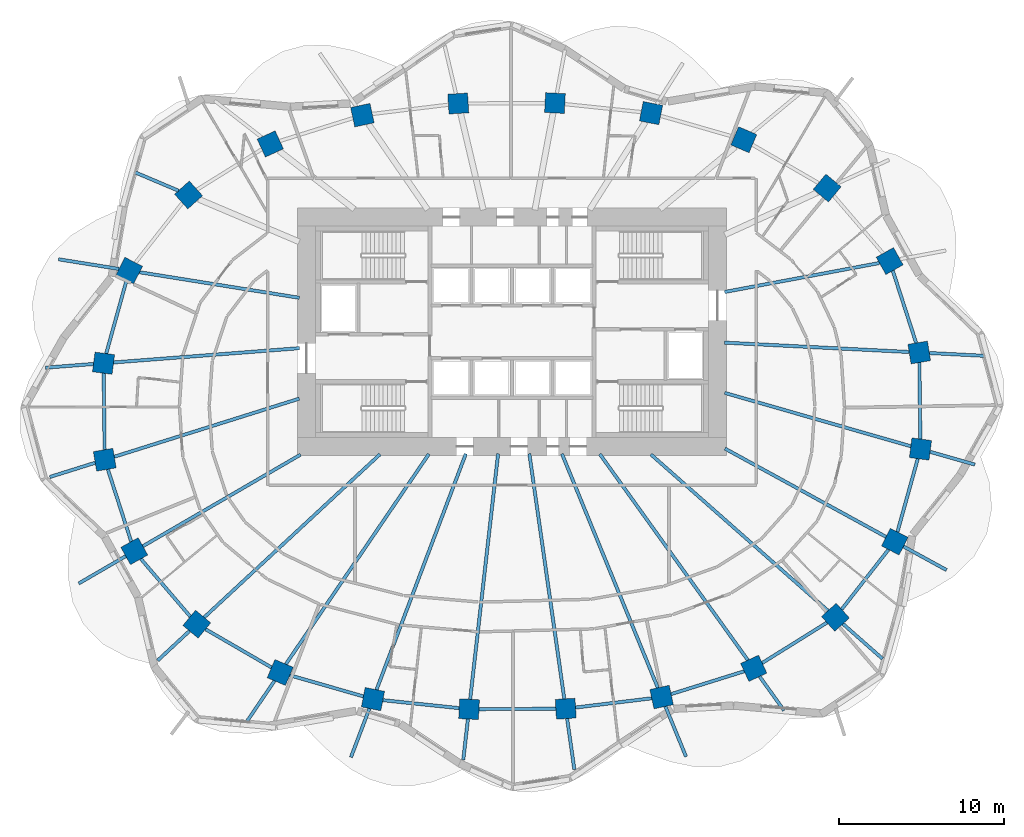
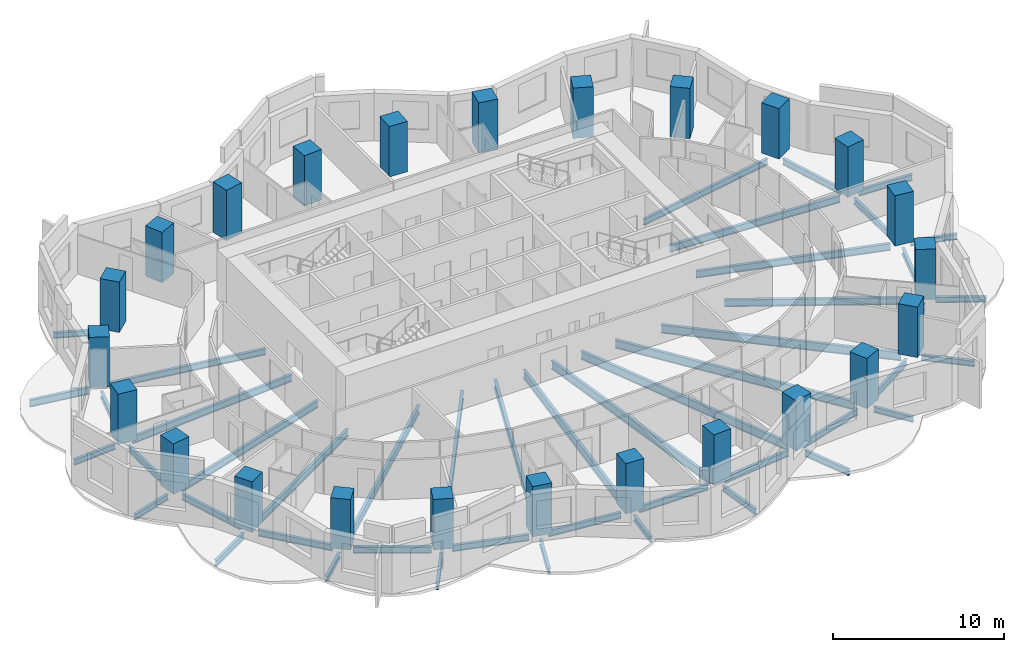
# One storey, part 1 of 11: 47 beams, 24 columns.
"""IFC4 building model written with IfcOpenShell, lengths in metres."""

from ifc_helpers import new_model, si_unit, direction, frame, origin, origin_2d, place, context, subcontext, project, spatial, rectangle, i_section, extrude, material, material_profile, profile_set, type_object, element, save


model = new_model("IFC4")

# Units and contexts
model_context = context("Model", 3, precision=1e-05, world=origin(), true_north=direction((0.0, 1.0)))
body_context = subcontext(model_context, "Body", "Model", "MODEL_VIEW")
ifc_project = project(units=[si_unit("LENGTHUNIT", "METRE"), si_unit("AREAUNIT", "SQUARE_METRE"), si_unit("VOLUMEUNIT", "CUBIC_METRE"), si_unit("PLANEANGLEUNIT", "RADIAN"), si_unit("MASSUNIT", "GRAM", prefix="KILO")], contexts=[model_context])

# Site, building, storey
site_placement = place(None, origin())
site = spatial("IfcSite", under=ifc_project, at=site_placement, CompositionType="ELEMENT")
building_placement = place(site_placement, origin())
building = spatial("IfcBuilding", under=site, at=building_placement, Name="Rubra Terraces Tower", CompositionType="ELEMENT")
storey_placement = place(building_placement, frame((0.0, 0.0, 99.60009765625)))
storey = spatial("IfcBuildingStorey", under=building, at=storey_placement, Name="L23", CompositionType="ELEMENT", Elevation=99.60009765625)

# Columns
ifc_material_1 = material(Name="Concrete C60", Category="concrete")
ifc_material_profile_1 = material_profile(ifc_material_1, rectangle(XDim=1.199951171875, YDim=1.199951171875, at=origin_2d()), Name="RC 1200x1200")
ifc_profile_set_1 = profile_set([ifc_material_profile_1], Name="Concrete C60")
column_type = type_object("IfcColumnType", Name="RING COLUMN RC 1200x1200 C60", PredefinedType="COLUMN", material=ifc_profile_set_1)
for number, where, z_axis, x_axis, name in (
    (1, (24.6689453125, 3.248046875, 0.0), (0.0, 0.0, 1.0), (-0.161559167715, 0.986863027642, 0.0), "column-L23-ring-01"),
    (2, (22.87890625, 8.787109375, 0.0), (0.0, 0.0, 1.0), (-0.48852601316, 0.872549330678, 0.0), "column-L23-ring-02"),
    (3, (19.092041015625, 13.208984375, 0.0), (0.0, 0.0, 1.0), (-0.76886986222, 0.63940529789, 0.0), "column-L23-ring-03"),
    (4, (14.0419921875, 16.135986328125, 0.0), (0.0, 0.0, 1.0), (-0.920167856842, 0.391524092789, 0.0), "column-L23-ring-04"),
    (5, (8.422119140625, 17.7490234375, 0.0), (0.0, 0.0, 1.0), (-0.981654668733, 0.19066754143, 0.0), "column-L23-ring-05"),
    (6, (2.60205078125, 18.35791015625, 0.0), (0.0, 0.0, 1.0), (-0.998764256028, 0.049698700995, 0.0), "column-L23-ring-06"),
    (7, (-3.25390625, 18.330078125, 0.0), (0.0, 0.0, 1.0), (-0.998031548759, -0.062713855578, 0.0), "column-L23-ring-07"),
    (8, (-9.06298828125, 17.625, 0.0), (0.0, 0.0, 1.0), (-0.977652674797, -0.210226657352, 0.0), "column-L23-ring-08"),
    (9, (-14.64306640625, 15.881103515625, 0.0), (0.0, 0.0, 1.0), (-0.908778580451, -0.417278673927, 0.0), "column-L23-ring-09"),
    (10, (-19.593017578125, 12.7900390625, 0.0), (0.0, 0.0, 1.0), (-0.744021317198, -0.668155879683, 0.0), "column-L23-ring-10"),
    (11, (-23.18505859375, 8.2099609375, 0.0), (0.0, 0.0, 1.0), (-0.451027931402, -0.892509834733, 0.0), "column-L23-ring-11"),
    (12, (-24.742919921875, 2.59912109375, 0.0), (0.0, 0.0, 1.0), (-0.128443684554, -0.991716804283, 0.0), "column-L23-ring-12"),
    (13, (-24.6689453125, -3.248046875, 0.0), (0.0, 0.0, 1.0), (0.161559167715, -0.986863027642, 0.0), "column-L23-ring-13"),
    (14, (-22.87890625, -8.787109375, 0.0), (0.0, 0.0, 1.0), (0.48852601316, -0.872549330678, 0.0), "column-L23-ring-14"),
    (15, (-19.092041015625, -13.208984375, 0.0), (0.0, 0.0, 1.0), (0.76886986222, -0.63940529789, 0.0), "column-L23-ring-15"),
    (16, (-14.0419921875, -16.135986328125, 0.0), (0.0, 0.0, 1.0), (0.920167856842, -0.391524092789, 0.0), "column-L23-ring-16"),
    (17, (-8.422119140625, -17.7490234375, 0.0), (0.0, 0.0, 1.0), (0.981654668733, -0.19066754143, 0.0), "column-L23-ring-17"),
    (18, (-2.60205078125, -18.35791015625, 0.0), (0.0, 0.0, 1.0), (0.998764256028, -0.049698700995, 0.0), "column-L23-ring-18"),
    (19, (3.25390625, -18.330078125, 0.0), (0.0, 0.0, 1.0), (0.998031548759, 0.062713855578, 0.0), "column-L23-ring-19"),
    (20, (9.06298828125, -17.625, 0.0), (0.0, 0.0, 1.0), (0.977652674797, 0.210226657352, 0.0), "column-L23-ring-20"),
    (21, (14.64306640625, -15.881103515625, 0.0), (0.0, 0.0, 1.0), (0.908778580451, 0.417278673927, 0.0), "column-L23-ring-21"),
    (22, (19.593017578125, -12.7900390625, 0.0), (0.0, 0.0, 1.0), (0.744021317198, 0.668155879683, 0.0), "column-L23-ring-22"),
    (23, (23.18505859375, -8.2099609375, 0.0), (0.0, 0.0, 1.0), (0.451027931402, 0.892509834733, 0.0), "column-L23-ring-23"),
    (24, (24.742919921875, -2.59912109375, 0.0), (0.0, 0.0, 1.0), (0.128443684554, 0.991716804283, 0.0), "column-L23-ring-24"),
):
    element("IfcColumn", number, at=place(storey_placement, frame(where, z_axis=z_axis, x_axis=x_axis)), inside=storey, type_object=column_type, Name=name, PredefinedType="COLUMN", context=body_context, shape_type="SweptSolid", body=[
        extrude(rectangle(XDim=1.199951171875, YDim=1.199951171875, at=origin_2d()), origin(), (0.0, 0.0, 1.0), 3.599853515625),
    ])

# Beams
ifc_material_2 = material(Name="Steel Q355B", Category="steel")
ifc_material_profile_2 = material_profile(ifc_material_2, i_section(OverallWidth=0.199951171875, OverallDepth=0.39990234375, WebThickness=0.008056640625, FlangeThickness=0.012939453125, at=origin_2d()), Name="HN 400x200x8x13")
ifc_profile_set_2 = profile_set([ifc_material_profile_2], Name="Steel Q355B")
beam_type_1 = type_object("IfcBeamType", Name="CANTILEVER BEAM HN 400x200x8x13", PredefinedType="BEAM", material=ifc_profile_set_2)
beam_1_placement = place(storey_placement, frame((-20.202880859375, 13.048095703125, -0.400146484375), z_axis=(-0.920934147462, 0.389718226465, 0.0), x_axis=(-0.389718226465, -0.920934147462, 0.0)))
element("IfcBeam", 25, at=beam_1_placement, inside=storey, type_object=beam_type_1, Name="beam-L23-cant-10", PredefinedType="BEAM", context=body_context, shape_type="SweptSolid", body=[
    extrude(i_section(OverallWidth=0.199951171875, OverallDepth=0.39990234375, WebThickness=0.008056640625, FlangeThickness=0.012939453125, at=origin_2d()), origin(), (0.0, 0.0, 1.0), 2.850341796875),
])
beam_2_placement = place(storey_placement, frame((-25.35400390625, 2.552001953125, -0.400146484375), z_axis=(-0.997078655681, -0.076381636441, 0.0), x_axis=(0.076381636441, -0.997078655681, 0.0)))
element("IfcBeam", 26, at=beam_2_placement, inside=storey, type_object=beam_type_1, Name="beam-L23-cant-12", PredefinedType="BEAM", context=body_context, shape_type="SweptSolid", body=[
    extrude(i_section(OverallWidth=0.199951171875, OverallDepth=0.39990234375, WebThickness=0.008056640625, FlangeThickness=0.012939453125, at=origin_2d()), origin(), (0.0, 0.0, 1.0), 2.905517578125),
])
beam_3_placement = place(storey_placement, frame((-25.2470703125, -3.429931640625, -0.400146484375), z_axis=(-0.954045543107, -0.299661645322, 0.0), x_axis=(0.299661645322, -0.954045543107, 0.0)))
element("IfcBeam", 27, at=beam_3_placement, inside=storey, type_object=beam_type_1, Name="beam-L23-cant-13", PredefinedType="BEAM", context=body_context, shape_type="SweptSolid", body=[
    extrude(i_section(OverallWidth=0.199951171875, OverallDepth=0.39990234375, WebThickness=0.008056640625, FlangeThickness=0.012939453125, at=origin_2d()), origin(), (0.0, 0.0, 1.0), 2.886474609375),
])
beam_4_placement = place(storey_placement, frame((-19.535888671875, -13.6201171875, -0.400146484375), z_axis=(-0.73298930128, -0.680240166566, 0.0), x_axis=(0.680240166566, -0.73298930128, 0.0)))
element("IfcBeam", 28, at=beam_4_placement, inside=storey, type_object=beam_type_1, Name="beam-L23-cant-15", PredefinedType="BEAM", context=body_context, shape_type="SweptSolid", body=[
    extrude(i_section(OverallWidth=0.199951171875, OverallDepth=0.39990234375, WebThickness=0.008056640625, FlangeThickness=0.012939453125, at=origin_2d()), origin(), (0.0, 0.0, 1.0), 2.61962890625),
])
beam_5_placement = place(storey_placement, frame((-8.637939453125, -18.318115234375, -0.400146484375), z_axis=(-0.353924982786, -0.935273813682, 0.0), x_axis=(0.935273813682, -0.353924982786, 0.0)))
element("IfcBeam", 29, at=beam_5_placement, inside=storey, type_object=beam_type_1, Name="beam-L23-cant-17", PredefinedType="BEAM", context=body_context, shape_type="SweptSolid", body=[
    extrude(i_section(OverallWidth=0.199951171875, OverallDepth=0.39990234375, WebThickness=0.008056640625, FlangeThickness=0.012939453125, at=origin_2d()), origin(), (0.0, 0.0, 1.0), 3.159423828125),
])
beam_6_placement = place(storey_placement, frame((-2.669921875, -18.955078125, -0.400146484375), z_axis=(-0.113083837878, -0.993585449577, 0.0), x_axis=(0.993585449577, -0.113083837878, 0.0)))
element("IfcBeam", 30, at=beam_6_placement, inside=storey, type_object=beam_type_1, Name="beam-L23-cant-18", PredefinedType="BEAM", context=body_context, shape_type="SweptSolid", body=[
    extrude(i_section(OverallWidth=0.199951171875, OverallDepth=0.39990234375, WebThickness=0.008056640625, FlangeThickness=0.012939453125, at=origin_2d()), origin(), (0.0, 0.0, 1.0), 2.48486328125),
])
beam_7_placement = place(storey_placement, frame((3.339111328125, -18.926025390625, -0.400146484375), z_axis=(0.141004134559, -0.990009007049, 0.0), x_axis=(0.990009007049, 0.141004134559, 0.0)))
element("IfcBeam", 31, at=beam_7_placement, inside=storey, type_object=beam_type_1, Name="beam-L23-cant-19", PredefinedType="BEAM", context=body_context, shape_type="SweptSolid", body=[
    extrude(i_section(OverallWidth=0.199951171875, OverallDepth=0.39990234375, WebThickness=0.008056640625, FlangeThickness=0.012939453125, at=origin_2d()), origin(), (0.0, 0.0, 1.0), 3.113037109375),
])
beam_8_placement = place(storey_placement, frame((15.0, -16.376953125, -0.400146484375), z_axis=(0.583203525361, -0.812326072465, 0.0), x_axis=(0.812326072465, 0.583203525361, 0.0)))
element("IfcBeam", 32, at=beam_8_placement, inside=storey, type_object=beam_type_1, Name="beam-L23-cant-21", PredefinedType="BEAM", context=body_context, shape_type="SweptSolid", body=[
    extrude(i_section(OverallWidth=0.199951171875, OverallDepth=0.39990234375, WebThickness=0.008056640625, FlangeThickness=0.012939453125, at=origin_2d()), origin(), (0.0, 0.0, 1.0), 2.535888671875),
])
beam_9_placement = place(storey_placement, frame((20.0458984375, -13.18994140625, -0.400146484375), z_axis=(0.749889181916, -0.661563462447, 0.0), x_axis=(0.661563462447, 0.749889181916, 0.0)))
element("IfcBeam", 33, at=beam_9_placement, inside=storey, type_object=beam_type_1, Name="beam-L23-cant-22", PredefinedType="BEAM", context=body_context, shape_type="SweptSolid", body=[
    extrude(i_section(OverallWidth=0.199951171875, OverallDepth=0.39990234375, WebThickness=0.008056640625, FlangeThickness=0.012939453125, at=origin_2d()), origin(), (0.0, 0.0, 1.0), 3.192626953125),
])
beam_10_placement = place(storey_placement, frame((23.7109375, -8.4990234375, -0.400146484375), z_axis=(0.876950651009, -0.480580436238, 0.0), x_axis=(0.480580436238, 0.876950651009, 0.0)))
element("IfcBeam", 34, at=beam_10_placement, inside=storey, type_object=beam_type_1, Name="beam-L23-cant-23", PredefinedType="BEAM", context=body_context, shape_type="SweptSolid", body=[
    extrude(i_section(OverallWidth=0.199951171875, OverallDepth=0.39990234375, WebThickness=0.008056640625, FlangeThickness=0.012939453125, at=origin_2d()), origin(), (0.0, 0.0, 1.0), 2.9775390625),
])
beam_11_placement = place(storey_placement, frame((25.325927734375, -2.76611328125, -0.400146484375), z_axis=(0.96123639557, -0.275725573408, 0.0), x_axis=(0.275725573408, 0.96123639557, 0.0)))
element("IfcBeam", 35, at=beam_11_placement, inside=storey, type_object=beam_type_1, Name="beam-L23-cant-24", PredefinedType="BEAM", context=body_context, shape_type="SweptSolid", body=[
    extrude(i_section(OverallWidth=0.199951171875, OverallDepth=0.39990234375, WebThickness=0.008056640625, FlangeThickness=0.012939453125, at=origin_2d()), origin(), (0.0, 0.0, 1.0), 2.824462890625),
])
ifc_material_profile_3 = material_profile(ifc_material_2, i_section(OverallWidth=0.198974609375, OverallDepth=0.446044921875, WebThickness=0.008056640625, FlangeThickness=0.011962890625, at=origin_2d()), Name="HN 446x199x8x12")
ifc_profile_set_3 = profile_set([ifc_material_profile_3], Name="Steel Q355B")
beam_type_2 = type_object("IfcBeamType", Name="CANTILEVER BEAM HN 446x199x8x12", PredefinedType="BEAM", material=ifc_profile_set_3)
beam_12_placement = place(storey_placement, frame((25.281982421875, 3.217041015625, -0.423095703125), z_axis=(0.998709471557, -0.050787709356, 0.0), x_axis=(0.050787709356, 0.998709471557, 0.0)))
element("IfcBeam", 36, at=beam_12_placement, inside=storey, type_object=beam_type_2, Name="beam-L23-cant-01", PredefinedType="BEAM", context=body_context, shape_type="SweptSolid", body=[
    extrude(i_section(OverallWidth=0.198974609375, OverallDepth=0.446044921875, WebThickness=0.008056640625, FlangeThickness=0.011962890625, at=origin_2d()), origin(), (0.0, 0.0, 1.0), 3.523681640625),
])
beam_13_placement = place(storey_placement, frame((-23.39794921875, -9.087890625, -0.423095703125), z_axis=(-0.86464262301, -0.50238743463, 0.0), x_axis=(0.50238743463, -0.86464262301, 0.0)))
element("IfcBeam", 37, at=beam_13_placement, inside=storey, type_object=beam_type_2, Name="beam-L23-cant-14", PredefinedType="BEAM", context=body_context, shape_type="SweptSolid", body=[
    extrude(i_section(OverallWidth=0.198974609375, OverallDepth=0.446044921875, WebThickness=0.008056640625, FlangeThickness=0.011962890625, at=origin_2d()), origin(), (0.0, 0.0, 1.0), 3.29638671875),
])
beam_14_placement = place(storey_placement, frame((-14.385986328125, -16.64208984375, -0.423095703125), z_axis=(-0.562581591021, -0.826741769505, 0.0), x_axis=(0.826741769505, -0.562581591021, 0.0)))
element("IfcBeam", 38, at=beam_14_placement, inside=storey, type_object=beam_type_2, Name="beam-L23-cant-16", PredefinedType="BEAM", context=body_context, shape_type="SweptSolid", body=[
    extrude(i_section(OverallWidth=0.198974609375, OverallDepth=0.446044921875, WebThickness=0.008056640625, FlangeThickness=0.011962890625, at=origin_2d()), origin(), (0.0, 0.0, 1.0), 3.220947265625),
])
beam_15_placement = place(storey_placement, frame((9.2939453125, -18.18896484375, -0.423095703125), z_axis=(0.379126606242, -0.925344809484, 0.0), x_axis=(0.925344809484, 0.379126606242, 0.0)))
element("IfcBeam", 39, at=beam_15_placement, inside=storey, type_object=beam_type_2, Name="beam-L23-cant-20", PredefinedType="BEAM", context=body_context, shape_type="SweptSolid", body=[
    extrude(i_section(OverallWidth=0.198974609375, OverallDepth=0.446044921875, WebThickness=0.008056640625, FlangeThickness=0.011962890625, at=origin_2d()), origin(), (0.0, 0.0, 1.0), 3.2919921875),
])
ifc_material_profile_4 = material_profile(ifc_material_2, i_section(OverallWidth=0.198974609375, OverallDepth=0.49609375, WebThickness=0.009033203125, FlangeThickness=0.013916015625, at=origin_2d()), Name="HN 496x199x9x14")
ifc_profile_set_4 = profile_set([ifc_material_profile_4], Name="Steel Q355B")
beam_type_3 = type_object("IfcBeamType", Name="CANTILEVER BEAM HN 496x199x9x14", PredefinedType="BEAM", material=ifc_profile_set_4)
beam_16_placement = place(storey_placement, frame((-23.806884765625, 8.31005859375, -0.447998046875), z_axis=(-0.987475125266, 0.157774766614, 0.0), x_axis=(-0.157774766614, -0.987475125266, 0.0)))
element("IfcBeam", 40, at=beam_16_placement, inside=storey, type_object=beam_type_3, Name="beam-L23-cant-11", PredefinedType="BEAM", context=body_context, shape_type="SweptSolid", body=[
    extrude(i_section(OverallWidth=0.198974609375, OverallDepth=0.49609375, WebThickness=0.009033203125, FlangeThickness=0.013916015625, at=origin_2d()), origin(), (0.0, 0.0, 1.0), 3.70751953125),
])
ifc_material_profile_5 = material_profile(ifc_material_2, i_section(OverallWidth=0.198974609375, OverallDepth=0.446044921875, WebThickness=0.008056640625, FlangeThickness=0.011962890625, at=origin_2d()), Name="HN 446x199x8x12")
ifc_profile_set_5 = profile_set([ifc_material_profile_5], Name="Steel Q355B")
beam_type_4 = type_object("IfcBeamType", Name="FLOOR BEAM HN 446x199x8x12", PredefinedType="BEAM", material=ifc_profile_set_5)
beam_17_placement = place(storey_placement, frame((22.257080078125, 8.669921875, -0.423095703125), z_axis=(-0.982909257943, -0.184090713102, 0.0), x_axis=(0.184090713102, -0.982909257943, 0.0)))
element("IfcBeam", 41, at=beam_17_placement, inside=storey, type_object=beam_type_4, Name="beam-L23-floor-02", PredefinedType="BEAM", context=body_context, shape_type="SweptSolid", body=[
    extrude(i_section(OverallWidth=0.198974609375, OverallDepth=0.446044921875, WebThickness=0.008056640625, FlangeThickness=0.011962890625, at=origin_2d()), origin(), (0.0, 0.0, 1.0), 9.5380859375),
])
beam_18_placement = place(storey_placement, frame((-22.56298828125, 8.110107421875, -0.423095703125), z_axis=(0.987438611706, -0.158003126908, 0.0), x_axis=(0.158003126908, 0.987438611706, 0.0)))
element("IfcBeam", 42, at=beam_18_placement, inside=storey, type_object=beam_type_4, Name="beam-L23-floor-11", PredefinedType="BEAM", context=body_context, shape_type="SweptSolid", body=[
    extrude(i_section(OverallWidth=0.198974609375, OverallDepth=0.446044921875, WebThickness=0.008056640625, FlangeThickness=0.011962890625, at=origin_2d()), origin(), (0.0, 0.0, 1.0), 9.803955078125),
])
ifc_material_profile_6 = material_profile(ifc_material_2, i_section(OverallWidth=0.198974609375, OverallDepth=0.49609375, WebThickness=0.009033203125, FlangeThickness=0.013916015625, at=origin_2d()), Name="HN 496x199x9x14")
ifc_profile_set_6 = profile_set([ifc_material_profile_6], Name="Steel Q355B")
beam_type_5 = type_object("IfcBeamType", Name="FLOOR BEAM HN 496x199x9x14", PredefinedType="BEAM", material=ifc_profile_set_6)
beam_19_placement = place(storey_placement, frame((24.055908203125, 3.279052734375, -0.447998046875), z_axis=(-0.998716006853, 0.050659033312, 0.0), x_axis=(-0.050659033312, -0.998716006853, 0.0)))
element("IfcBeam", 43, at=beam_19_placement, inside=storey, type_object=beam_type_5, Name="beam-L23-floor-01", PredefinedType="BEAM", context=body_context, shape_type="SweptSolid", body=[
    extrude(i_section(OverallWidth=0.198974609375, OverallDepth=0.49609375, WebThickness=0.009033203125, FlangeThickness=0.013916015625, at=origin_2d()), origin(), (0.0, 0.0, 1.0), 11.1904296875),
])
beam_20_placement = place(storey_placement, frame((-24.132080078125, 2.64599609375, -0.447998046875), z_axis=(0.99706491124, 0.076560843604, 0.0), x_axis=(-0.076560843604, 0.99706491124, 0.0)))
element("IfcBeam", 44, at=beam_20_placement, inside=storey, type_object=beam_type_5, Name="beam-L23-floor-12", PredefinedType="BEAM", context=body_context, shape_type="SweptSolid", body=[
    extrude(i_section(OverallWidth=0.198974609375, OverallDepth=0.49609375, WebThickness=0.009033203125, FlangeThickness=0.013916015625, at=origin_2d()), origin(), (0.0, 0.0, 1.0), 11.285400390625),
])
beam_21_placement = place(storey_placement, frame((-24.091064453125, -3.06591796875, -0.447998046875), z_axis=(0.954061815263, 0.299609834046, 0.0), x_axis=(-0.299609834046, 0.954061815263, 0.0)))
element("IfcBeam", 45, at=beam_21_placement, inside=storey, type_object=beam_type_5, Name="beam-L23-floor-13", PredefinedType="BEAM", context=body_context, shape_type="SweptSolid", body=[
    extrude(i_section(OverallWidth=0.198974609375, OverallDepth=0.49609375, WebThickness=0.009033203125, FlangeThickness=0.013916015625, at=origin_2d()), origin(), (0.0, 0.0, 1.0), 11.74462890625),
])
beam_22_placement = place(storey_placement, frame((-22.360107421875, -8.486083984375, -0.447998046875), z_axis=(0.864729170152, 0.502238451623, 0.0), x_axis=(-0.502238451623, 0.864729170152, 0.0)))
element("IfcBeam", 46, at=beam_22_placement, inside=storey, type_object=beam_type_5, Name="beam-L23-floor-14", PredefinedType="BEAM", context=body_context, shape_type="SweptSolid", body=[
    extrude(i_section(OverallWidth=0.198974609375, OverallDepth=0.49609375, WebThickness=0.009033203125, FlangeThickness=0.013916015625, at=origin_2d()), origin(), (0.0, 0.0, 1.0), 11.04296875),
])
beam_23_placement = place(storey_placement, frame((22.658935546875, -7.9208984375, -0.447998046875), z_axis=(-0.876910796921, 0.480653153785, 0.0), x_axis=(-0.480653153785, -0.876910796921, 0.0)))
element("IfcBeam", 47, at=beam_23_placement, inside=storey, type_object=beam_type_5, Name="beam-L23-floor-23", PredefinedType="BEAM", context=body_context, shape_type="SweptSolid", body=[
    extrude(i_section(OverallWidth=0.198974609375, OverallDepth=0.49609375, WebThickness=0.009033203125, FlangeThickness=0.013916015625, at=origin_2d()), origin(), (0.0, 0.0, 1.0), 11.134521484375),
])
beam_24_placement = place(storey_placement, frame((24.159912109375, -2.431884765625, -0.447998046875), z_axis=(-0.9612201884, 0.275782068691, 0.0), x_axis=(-0.275782068691, -0.9612201884, 0.0)))
element("IfcBeam", 48, at=beam_24_placement, inside=storey, type_object=beam_type_5, Name="beam-L23-floor-24", PredefinedType="BEAM", context=body_context, shape_type="SweptSolid", body=[
    extrude(i_section(OverallWidth=0.198974609375, OverallDepth=0.49609375, WebThickness=0.009033203125, FlangeThickness=0.013916015625, at=origin_2d()), origin(), (0.0, 0.0, 1.0), 11.729736328125),
])
ifc_material_profile_7 = material_profile(ifc_material_2, i_section(OverallWidth=0.198974609375, OverallDepth=0.595947265625, WebThickness=0.010009765625, FlangeThickness=0.014892578125, at=origin_2d()), Name="HN 596x199x10x15")
ifc_profile_set_7 = profile_set([ifc_material_profile_7], Name="Steel Q355B")
beam_type_6 = type_object("IfcBeamType", Name="FLOOR BEAM HN 596x199x10x15", PredefinedType="BEAM", material=ifc_profile_set_7)
beam_25_placement = place(storey_placement, frame((-18.64794921875, -12.798095703125, -0.498046875), z_axis=(0.733104668463, 0.680115832104, 0.0), x_axis=(-0.680115832104, 0.733104668463, 0.0)))
element("IfcBeam", 49, at=beam_25_placement, inside=storey, type_object=beam_type_6, Name="beam-L23-floor-15", PredefinedType="BEAM", context=body_context, shape_type="SweptSolid", body=[
    extrude(i_section(OverallWidth=0.198974609375, OverallDepth=0.595947265625, WebThickness=0.010009765625, FlangeThickness=0.014892578125, at=origin_2d()), origin(), (0.0, 0.0, 1.0), 14.527099609375),
])
beam_26_placement = place(storey_placement, frame((-13.697998046875, -15.6298828125, -0.498046875), z_axis=(0.562593638313, 0.82673357143, 0.0), x_axis=(-0.82673357143, 0.562593638313, 0.0)))
element("IfcBeam", 50, at=beam_26_placement, inside=storey, type_object=beam_type_6, Name="beam-L23-floor-16", PredefinedType="BEAM", context=body_context, shape_type="SweptSolid", body=[
    extrude(i_section(OverallWidth=0.198974609375, OverallDepth=0.595947265625, WebThickness=0.010009765625, FlangeThickness=0.014892578125, at=origin_2d()), origin(), (0.0, 0.0, 1.0), 15.396728515625),
])
beam_27_placement = place(storey_placement, frame((-8.2060546875, -17.179931640625, -0.498046875), z_axis=(0.35395819717, 0.935261244068, 0.0), x_axis=(-0.935261244068, 0.35395819717, 0.0)))
element("IfcBeam", 51, at=beam_27_placement, inside=storey, type_object=beam_type_6, Name="beam-L23-floor-17", PredefinedType="BEAM", context=body_context, shape_type="SweptSolid", body=[
    extrude(i_section(OverallWidth=0.198974609375, OverallDepth=0.595947265625, WebThickness=0.010009765625, FlangeThickness=0.014892578125, at=origin_2d()), origin(), (0.0, 0.0, 1.0), 15.28125),
])
beam_28_placement = place(storey_placement, frame((-2.533935546875, -17.760986328125, -0.498046875), z_axis=(0.113104280783, 0.993583122677, 0.0), x_axis=(-0.993583122677, 0.113104280783, 0.0)))
element("IfcBeam", 52, at=beam_28_placement, inside=storey, type_object=beam_type_6, Name="beam-L23-floor-18", PredefinedType="BEAM", context=body_context, shape_type="SweptSolid", body=[
    extrude(i_section(OverallWidth=0.198974609375, OverallDepth=0.595947265625, WebThickness=0.010009765625, FlangeThickness=0.014892578125, at=origin_2d()), origin(), (0.0, 0.0, 1.0), 14.97607421875),
])
beam_29_placement = place(storey_placement, frame((3.1689453125, -17.73388671875, -0.498046875), z_axis=(-0.141102399867, 0.989995006428, 0.0), x_axis=(-0.989995006428, -0.141102399867, 0.0)))
element("IfcBeam", 53, at=beam_29_placement, inside=storey, type_object=beam_type_6, Name="beam-L23-floor-19", PredefinedType="BEAM", context=body_context, shape_type="SweptSolid", body=[
    extrude(i_section(OverallWidth=0.198974609375, OverallDepth=0.595947265625, WebThickness=0.010009765625, FlangeThickness=0.014892578125, at=origin_2d()), origin(), (0.0, 0.0, 1.0), 15.0029296875),
])
beam_30_placement = place(storey_placement, frame((8.83203125, -17.06103515625, -0.498046875), z_axis=(-0.379038143634, 0.925381048904, 0.0), x_axis=(-0.925381048904, -0.379038143634, 0.0)))
element("IfcBeam", 54, at=beam_30_placement, inside=storey, type_object=beam_type_6, Name="beam-L23-floor-20", PredefinedType="BEAM", context=body_context, shape_type="SweptSolid", body=[
    extrude(i_section(OverallWidth=0.198974609375, OverallDepth=0.595947265625, WebThickness=0.010009765625, FlangeThickness=0.014892578125, at=origin_2d()), origin(), (0.0, 0.0, 1.0), 15.31494140625),
])
beam_31_placement = place(storey_placement, frame((14.285888671875, -15.385009765625, -0.498046875), z_axis=(-0.583480892091, 0.812126867284, 0.0), x_axis=(-0.812126867284, -0.583480892091, 0.0)))
element("IfcBeam", 55, at=beam_31_placement, inside=storey, type_object=beam_type_6, Name="beam-L23-floor-21", PredefinedType="BEAM", context=body_context, shape_type="SweptSolid", body=[
    extrude(i_section(OverallWidth=0.198974609375, OverallDepth=0.595947265625, WebThickness=0.010009765625, FlangeThickness=0.014892578125, at=origin_2d()), origin(), (0.0, 0.0, 1.0), 15.369384765625),
])
beam_32_placement = place(storey_placement, frame((19.139892578125, -12.389892578125, -0.498046875), z_axis=(-0.749820430817, 0.661641384384, 0.0), x_axis=(-0.661641384384, -0.749820430817, 0.0)))
element("IfcBeam", 56, at=beam_32_placement, inside=storey, type_object=beam_type_6, Name="beam-L23-floor-22", PredefinedType="BEAM", context=body_context, shape_type="SweptSolid", body=[
    extrude(i_section(OverallWidth=0.198974609375, OverallDepth=0.595947265625, WebThickness=0.010009765625, FlangeThickness=0.014892578125, at=origin_2d()), origin(), (0.0, 0.0, 1.0), 14.311279296875),
])
ifc_material_profile_8 = material_profile(ifc_material_2, i_section(OverallWidth=0.198974609375, OverallDepth=0.446044921875, WebThickness=0.008056640625, FlangeThickness=0.011962890625, at=origin_2d()), Name="HN 446x199x8x12")
ifc_profile_set_8 = profile_set([ifc_material_profile_8], Name="Steel Q355B")
beam_type_7 = type_object("IfcBeamType", Name="SPANDREL BEAM HN 446x199x8x12", PredefinedType="SPANDREL", material=ifc_profile_set_8)
beam_33_placement = place(storey_placement, frame((24.48193359375, 3.824951171875, -0.423095703125), z_axis=(-0.307414966872, 0.951575555667, 0.0), x_axis=(-0.951575555667, -0.307414966872, 0.0)))
element("IfcBeam", 57, at=beam_33_placement, inside=storey, type_object=beam_type_7, Name="beam-L23-spandrel-01", PredefinedType="SPANDREL", context=body_context, shape_type="SweptSolid", body=[
    extrude(i_section(OverallWidth=0.198974609375, OverallDepth=0.446044921875, WebThickness=0.008056640625, FlangeThickness=0.011962890625, at=origin_2d()), origin(), (0.0, 0.0, 1.0), 4.60302734375),
])
beam_34_placement = place(storey_placement, frame((-23.34912109375, 7.6201171875, -0.423095703125), z_axis=(-0.26752901479, -0.963549804756, 0.0), x_axis=(0.963549804756, -0.26752901479, 0.0)))
element("IfcBeam", 58, at=beam_34_placement, inside=storey, type_object=beam_type_7, Name="beam-L23-spandrel-11", PredefinedType="SPANDREL", context=body_context, shape_type="SweptSolid", body=[
    extrude(i_section(OverallWidth=0.198974609375, OverallDepth=0.446044921875, WebThickness=0.008056640625, FlangeThickness=0.011962890625, at=origin_2d()), origin(), (0.0, 0.0, 1.0), 4.60498046875),
])
beam_35_placement = place(storey_placement, frame((-24.735107421875, 1.992919921875, -0.423095703125), z_axis=(0.012537869063, -0.999921397831, 0.0), x_axis=(0.999921397831, 0.012537869063, 0.0)))
element("IfcBeam", 59, at=beam_35_placement, inside=storey, type_object=beam_type_7, Name="beam-L23-spandrel-12", PredefinedType="SPANDREL", context=body_context, shape_type="SweptSolid", body=[
    extrude(i_section(OverallWidth=0.198974609375, OverallDepth=0.446044921875, WebThickness=0.008056640625, FlangeThickness=0.011962890625, at=origin_2d()), origin(), (0.0, 0.0, 1.0), 4.63427734375),
])
beam_36_placement = place(storey_placement, frame((-24.48193359375, -3.824951171875, -0.423095703125), z_axis=(0.307414966872, -0.951575555667, 0.0), x_axis=(0.951575555667, 0.307414966872, 0.0)))
element("IfcBeam", 60, at=beam_36_placement, inside=storey, type_object=beam_type_7, Name="beam-L23-spandrel-13", PredefinedType="SPANDREL", context=body_context, shape_type="SweptSolid", body=[
    extrude(i_section(OverallWidth=0.198974609375, OverallDepth=0.446044921875, WebThickness=0.008056640625, FlangeThickness=0.011962890625, at=origin_2d()), origin(), (0.0, 0.0, 1.0), 4.60302734375),
])
beam_37_placement = place(storey_placement, frame((-22.48095703125, -9.251953125, -0.423095703125), z_axis=(0.650428637413, -0.759567368726, 0.0), x_axis=(0.759567368726, 0.650428637413, 0.0)))
element("IfcBeam", 61, at=beam_37_placement, inside=storey, type_object=beam_type_7, Name="beam-L23-spandrel-14", PredefinedType="SPANDREL", context=body_context, shape_type="SweptSolid", body=[
    extrude(i_section(OverallWidth=0.198974609375, OverallDepth=0.446044921875, WebThickness=0.008056640625, FlangeThickness=0.011962890625, at=origin_2d()), origin(), (0.0, 0.0, 1.0), 4.6015625),
])
beam_38_placement = place(storey_placement, frame((-18.56494140625, -13.513916015625, -0.423095703125), z_axis=(0.865116425734, -0.501571101565, 0.0), x_axis=(0.501571101565, 0.865116425734, 0.0)))
element("IfcBeam", 62, at=beam_38_placement, inside=storey, type_object=beam_type_7, Name="beam-L23-spandrel-15", PredefinedType="SPANDREL", context=body_context, shape_type="SweptSolid", body=[
    extrude(i_section(OverallWidth=0.198974609375, OverallDepth=0.446044921875, WebThickness=0.008056640625, FlangeThickness=0.011962890625, at=origin_2d()), origin(), (0.0, 0.0, 1.0), 4.62353515625),
])
beam_39_placement = place(storey_placement, frame((-13.4609375, -16.302978515625, -0.423095703125), z_axis=(0.961195652649, -0.275867572085, 0.0), x_axis=(0.275867572085, 0.961195652649, 0.0)))
element("IfcBeam", 63, at=beam_39_placement, inside=storey, type_object=beam_type_7, Name="beam-L23-spandrel-16", PredefinedType="SPANDREL", context=body_context, shape_type="SweptSolid", body=[
    extrude(i_section(OverallWidth=0.198974609375, OverallDepth=0.446044921875, WebThickness=0.008056640625, FlangeThickness=0.011962890625, at=origin_2d()), origin(), (0.0, 0.0, 1.0), 4.639892578125),
])
beam_40_placement = place(storey_placement, frame((-7.822998046875, -17.81201171875, -0.423095703125), z_axis=(0.994588599148, -0.103891859374, 0.0), x_axis=(0.103891859374, 0.994588599148, 0.0)))
element("IfcBeam", 64, at=beam_40_placement, inside=storey, type_object=beam_type_7, Name="beam-L23-spandrel-17", PredefinedType="SPANDREL", context=body_context, shape_type="SweptSolid", body=[
    extrude(i_section(OverallWidth=0.198974609375, OverallDepth=0.446044921875, WebThickness=0.008056640625, FlangeThickness=0.011962890625, at=origin_2d()), origin(), (0.0, 0.0, 1.0), 4.648193359375),
])
beam_41_placement = place(storey_placement, frame((-2.0009765625, -18.35498046875, -0.423095703125), z_axis=(0.99998885538, 0.004721135025, 0.0), x_axis=(-0.004721135025, 0.99998885538, 0.0)))
element("IfcBeam", 65, at=beam_41_placement, inside=storey, type_object=beam_type_7, Name="beam-L23-spandrel-18", PredefinedType="SPANDREL", context=body_context, shape_type="SweptSolid", body=[
    extrude(i_section(OverallWidth=0.198974609375, OverallDepth=0.446044921875, WebThickness=0.008056640625, FlangeThickness=0.011962890625, at=origin_2d()), origin(), (0.0, 0.0, 1.0), 4.654052734375),
])
beam_42_placement = place(storey_placement, frame((3.85107421875, -18.258056640625, -0.423095703125), z_axis=(0.992713612833, 0.120497646851, 0.0), x_axis=(-0.120497646851, 0.992713612833, 0.0)))
element("IfcBeam", 66, at=beam_42_placement, inside=storey, type_object=beam_type_7, Name="beam-L23-spandrel-19", PredefinedType="SPANDREL", context=body_context, shape_type="SweptSolid", body=[
    extrude(i_section(OverallWidth=0.198974609375, OverallDepth=0.446044921875, WebThickness=0.008056640625, FlangeThickness=0.011962890625, at=origin_2d()), origin(), (0.0, 0.0, 1.0), 4.64794921875),
])
beam_43_placement = place(storey_placement, frame((9.637939453125, -17.445068359375, -0.423095703125), z_axis=(0.954462184919, 0.298331925142, 0.0), x_axis=(-0.298331925142, 0.954462184919, 0.0)))
element("IfcBeam", 67, at=beam_43_placement, inside=storey, type_object=beam_type_7, Name="beam-L23-spandrel-20", PredefinedType="SPANDREL", context=body_context, shape_type="SweptSolid", body=[
    extrude(i_section(OverallWidth=0.198974609375, OverallDepth=0.446044921875, WebThickness=0.008056640625, FlangeThickness=0.011962890625, at=origin_2d()), origin(), (0.0, 0.0, 1.0), 4.63916015625),
])
beam_44_placement = place(storey_placement, frame((15.156005859375, -15.56103515625, -0.423095703125), z_axis=(0.848188188849, 0.529695003089, 0.0), x_axis=(-0.529695003089, 0.848188188849, 0.0)))
element("IfcBeam", 68, at=beam_44_placement, inside=storey, type_object=beam_type_7, Name="beam-L23-spandrel-21", PredefinedType="SPANDREL", context=body_context, shape_type="SweptSolid", body=[
    extrude(i_section(OverallWidth=0.198974609375, OverallDepth=0.446044921875, WebThickness=0.008056640625, FlangeThickness=0.011962890625, at=origin_2d()), origin(), (0.0, 0.0, 1.0), 4.62158203125),
])
beam_45_placement = place(storey_placement, frame((19.968994140625, -12.31103515625, -0.423095703125), z_axis=(0.61694919408, 0.787002980886, 0.0), x_axis=(-0.787002980886, 0.61694919408, 0.0)))
element("IfcBeam", 69, at=beam_45_placement, inside=storey, type_object=beam_type_7, Name="beam-L23-spandrel-22", PredefinedType="SPANDREL", context=body_context, shape_type="SweptSolid", body=[
    extrude(i_section(OverallWidth=0.198974609375, OverallDepth=0.446044921875, WebThickness=0.008056640625, FlangeThickness=0.011962890625, at=origin_2d()), origin(), (0.0, 0.0, 1.0), 4.599853515625),
])
beam_46_placement = place(storey_placement, frame((23.34912109375, -7.6201171875, -0.423095703125), z_axis=(0.26752901479, 0.963549804756, 0.0), x_axis=(-0.963549804756, 0.26752901479, 0.0)))
element("IfcBeam", 70, at=beam_46_placement, inside=storey, type_object=beam_type_7, Name="beam-L23-spandrel-23", PredefinedType="SPANDREL", context=body_context, shape_type="SweptSolid", body=[
    extrude(i_section(OverallWidth=0.198974609375, OverallDepth=0.446044921875, WebThickness=0.008056640625, FlangeThickness=0.011962890625, at=origin_2d()), origin(), (0.0, 0.0, 1.0), 4.60498046875),
])
beam_47_placement = place(storey_placement, frame((24.735107421875, -1.992919921875, -0.423095703125), z_axis=(-0.012537869063, 0.999921397831, 0.0), x_axis=(-0.999921397831, -0.012537869063, 0.0)))
element("IfcBeam", 71, at=beam_47_placement, inside=storey, type_object=beam_type_7, Name="beam-L23-spandrel-24", PredefinedType="SPANDREL", context=body_context, shape_type="SweptSolid", body=[
    extrude(i_section(OverallWidth=0.198974609375, OverallDepth=0.446044921875, WebThickness=0.008056640625, FlangeThickness=0.011962890625, at=origin_2d()), origin(), (0.0, 0.0, 1.0), 4.63427734375),
])

save(model, "model.ifc")
